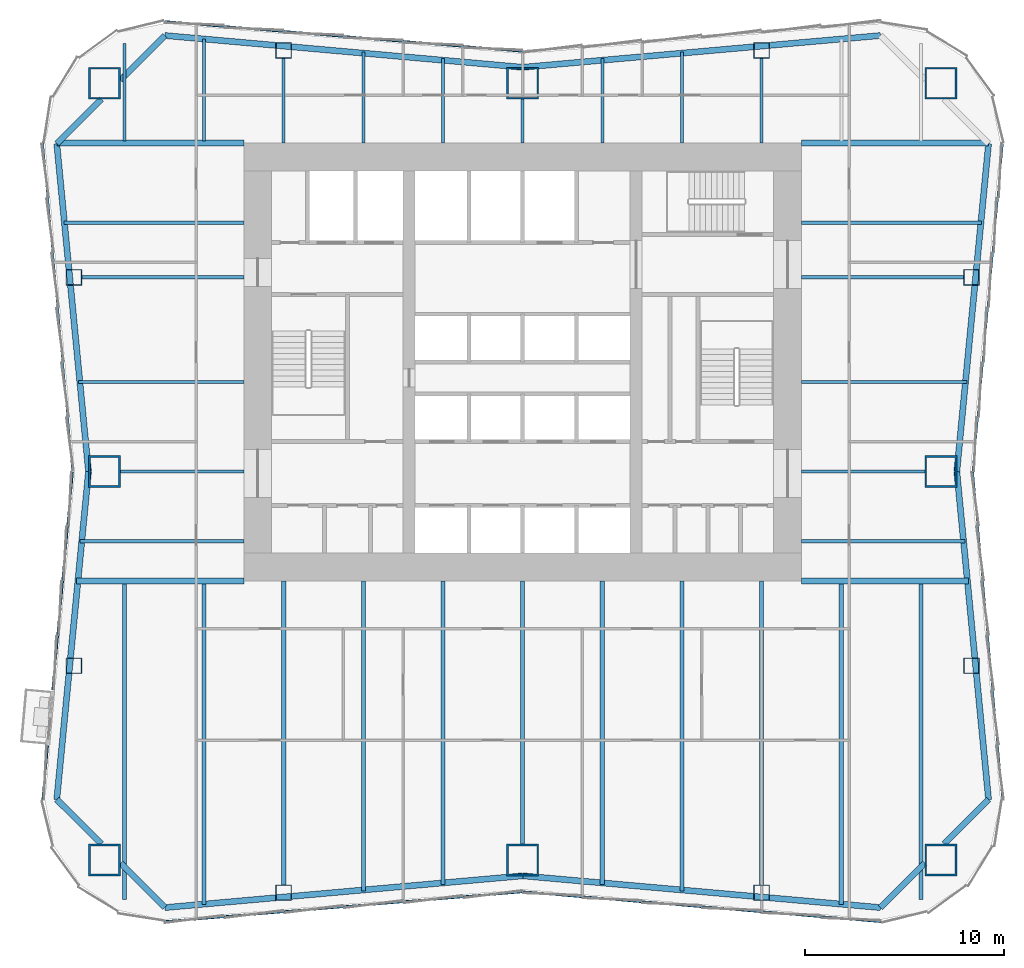
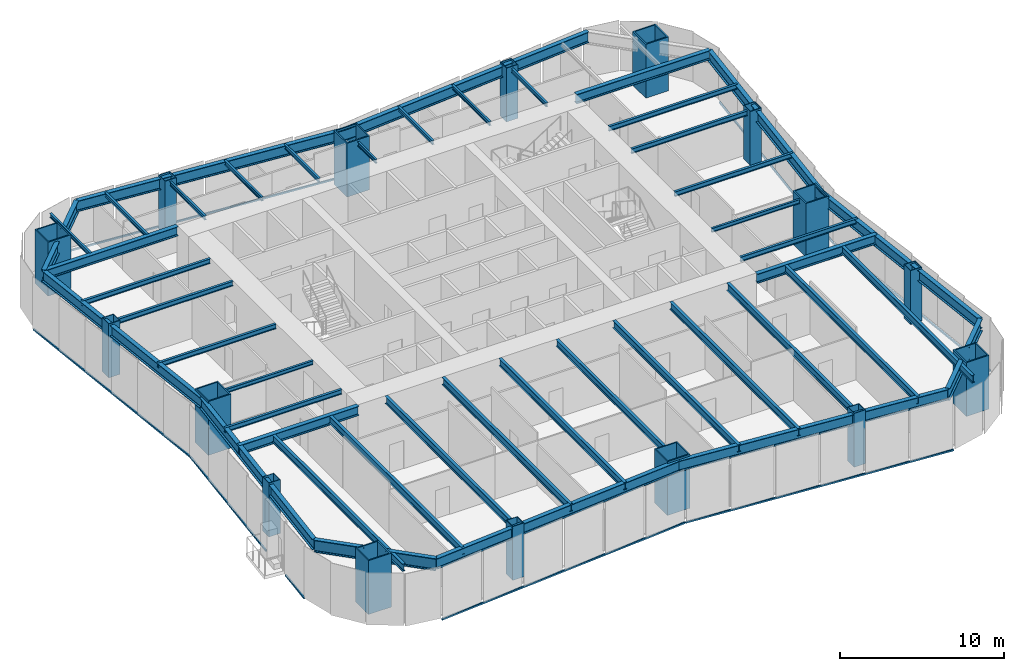
# One storey, part 1 of 8: 48 beams, 16 columns, 8 members, 4 elements without a shape of their own.
"""IFC4 building model written with IfcOpenShell, lengths in metres."""

from ifc_helpers import new_model, si_unit, direction, frame, origin, origin_2d, place, context, subcontext, project, spatial, rectangle, hollow_rectangle, i_section, extrude, material, material_profile, profile_set, type_object, element, aggregate, save


model = new_model("IFC4")

# Units and contexts
model_context = context("Model", 3, precision=1e-05, world=origin(), true_north=direction((0.0, 1.0)))
body_context = subcontext(model_context, "Body", "Model", "MODEL_VIEW")
ifc_project = project(units=[si_unit("LENGTHUNIT", "METRE"), si_unit("AREAUNIT", "SQUARE_METRE"), si_unit("VOLUMEUNIT", "CUBIC_METRE"), si_unit("PLANEANGLEUNIT", "RADIAN"), si_unit("MASSUNIT", "GRAM", prefix="KILO")], contexts=[model_context])

# Site, building, storey
site_placement = place(None, origin())
site = spatial("IfcSite", under=ifc_project, at=site_placement, CompositionType="ELEMENT")
building_placement = place(site_placement, origin())
building = spatial("IfcBuilding", under=site, at=building_placement, Name="Verdant Reach Tower", CompositionType="ELEMENT")
storey_placement = place(building_placement, frame((0.0, 0.0, 46.0)))
storey = spatial("IfcBuildingStorey", under=building, at=storey_placement, Name="L10", CompositionType="ELEMENT", Elevation=46.0)

# Columns
ifc_material_1 = material(Name="Steel S460", Category="steel")
ifc_material_profile_1 = material_profile(ifc_material_1, hollow_rectangle(XDim=1.60009765625, YDim=1.60009765625, WallThickness=0.090087890625, at=origin_2d()), Name="WB 1600x1600x90")
ifc_profile_set_1 = profile_set([ifc_material_profile_1], Name="Steel S460")
column_type_1 = type_object("IfcColumnType", Name="ST-COL-WB1600x1600x90", PredefinedType="COLUMN", material=ifc_profile_set_1)
for number, where, z_axis, x_axis, name in (
    (1, (-21.0, 42.0, 0.0), (0.0, 0.0, 1.0), (1.0, 0.0, 0.0), "Mega column north-west, L10"),
    (2, (0.0, 42.0, 0.0), (0.0, 0.0, 1.0), (1.0, 0.0, 0.0), "Mega column north, L10"),
    (3, (21.0, 42.0, 0.0), (0.0, 0.0, 1.0), (1.0, 0.0, 0.0), "Mega column north-east, L10"),
    (4, (21.0, 22.5, 0.0), (0.0, 0.0, 1.0), (1.0, 0.0, 0.0), "Mega column east, L10"),
    (5, (21.0, 3.0, 0.0), (0.0, 0.0, 1.0), (1.0, 0.0, 0.0), "Mega column south-east, L10"),
    (6, (0.0, 3.0, 0.0), (0.0, 0.0, 1.0), (1.0, 0.0, 0.0), "Mega column south, L10"),
    (7, (-21.0, 3.0, 0.0), (0.0, 0.0, 1.0), (1.0, 0.0, 0.0), "Mega column south-west, L10"),
    (8, (-21.0, 22.5, 0.0), (0.0, 0.0, 1.0), (1.0, 0.0, 0.0), "Mega column west, L10"),
):
    element("IfcColumn", number, at=place(storey_placement, frame(where, z_axis=z_axis, x_axis=x_axis)), inside=storey, type_object=column_type_1, Name=name, PredefinedType="COLUMN", context=body_context, shape_type="SweptSolid", body=[
        extrude(hollow_rectangle(XDim=1.60009765625, YDim=1.60009765625, WallThickness=0.090087890625, at=origin_2d()), origin(), (0.0, 0.0, 1.0), 4.0),
    ])
ifc_material_profile_2 = material_profile(ifc_material_1, hollow_rectangle(XDim=0.800048828125, YDim=0.800048828125, WallThickness=0.0400390625, at=origin_2d()), Name="WB 800x800x40")
ifc_profile_set_2 = profile_set([ifc_material_profile_2], Name="Steel S460")
column_type_2 = type_object("IfcColumnType", Name="ST-COL-WB800x800x40", PredefinedType="COLUMN", material=ifc_profile_set_2)
for number, where, z_axis, x_axis, name in (
    (9, (-12.0, 43.64990234375, 0.0), (0.0, 0.0, 1.0), (1.0, 0.0, 0.0), "Perimeter column north 1, L10"),
    (10, (12.0, 43.64990234375, 0.0), (0.0, 0.0, 1.0), (1.0, 0.0, 0.0), "Perimeter column north 2, L10"),
    (11, (-12.0, 1.35009765625, 0.0), (0.0, 0.0, 1.0), (1.0, 0.0, 0.0), "Perimeter column south 1, L10"),
    (12, (12.0, 1.35009765625, 0.0), (0.0, 0.0, 1.0), (1.0, 0.0, 0.0), "Perimeter column south 2, L10"),
    (13, (22.536376953125, 12.75, 0.0), (0.0, 0.0, 1.0), (1.0, 0.0, 0.0), "Perimeter column east 1, L10"),
    (14, (22.536376953125, 32.25, 0.0), (0.0, 0.0, 1.0), (1.0, 0.0, 0.0), "Perimeter column east 2, L10"),
    (15, (-22.536376953125, 12.75, 0.0), (0.0, 0.0, 1.0), (1.0, 0.0, 0.0), "Perimeter column west 1, L10"),
    (16, (-22.536376953125, 32.25, 0.0), (0.0, 0.0, 1.0), (1.0, 0.0, 0.0), "Perimeter column west 2, L10"),
):
    element("IfcColumn", number, at=place(storey_placement, frame(where, z_axis=z_axis, x_axis=x_axis)), inside=storey, type_object=column_type_2, Name=name, PredefinedType="COLUMN", context=body_context, shape_type="SweptSolid", body=[
        extrude(hollow_rectangle(XDim=0.800048828125, YDim=0.800048828125, WallThickness=0.0400390625, at=origin_2d()), origin(), (0.0, 0.0, 1.0), 4.0),
    ])

# Curtain wall, members
ifc_material_2 = material(Name="Anodised aluminium", Category="aluminium")
curtain_wall_type = type_object("IfcCurtainWallType", Name="EN-CW SYSTEM Z0", PredefinedType="NOTDEFINED", material=ifc_material_2)
curtain_wall_1_placement = place(storey_placement, origin())
curtain_wall_1 = element("IfcCurtainWall", 17, at=curtain_wall_1_placement, inside=storey, type_object=curtain_wall_type, Name="Curtain wall east, L10", PredefinedType="NOTDEFINED")
ifc_material_profile_3 = material_profile(ifc_material_2, rectangle(XDim=0.10009765625, YDim=0.1201171875, at=origin_2d()), Name="Transom 120x100")
ifc_profile_set_3 = profile_set([ifc_material_profile_3], Name="Anodised aluminium")
member_type = type_object("IfcMemberType", Name="EN-TRANSOM Z0", PredefinedType="USERDEFINED", material=ifc_profile_set_3)
member_1_placement = place(storey_placement, frame((24.09716796875, 6.024658203125, -0.2900390625), z_axis=(-0.090495755184, 0.995896841191, 0.0), x_axis=(-0.995896841191, -0.090495755184, 0.0)))
member_1 = element("IfcMember", 18, at=member_1_placement, type_object=member_type, Name="Transom east face part 1 1.1, L10", ObjectType="TRANSOM", PredefinedType="USERDEFINED", context=body_context, shape_type="SweptSolid", body=[
    extrude(rectangle(XDim=0.10009765625, YDim=0.1201171875, at=origin_2d()), origin(), (0.0, 0.0, 1.0), 16.513427734375),
])
member_2_placement = place(storey_placement, frame((22.602783203125, 22.52978515625, -0.2900390625), z_axis=(0.090495755184, 0.995896841191, 0.0), x_axis=(-0.995896841191, 0.090495755184, 0.0)))
member_2 = element("IfcMember", 19, at=member_2_placement, type_object=member_type, Name="Transom east face part 2 1.1, L10", ObjectType="TRANSOM", PredefinedType="USERDEFINED", context=body_context, shape_type="SweptSolid", body=[
    extrude(rectangle(XDim=0.10009765625, YDim=0.1201171875, at=origin_2d()), origin(), (0.0, 0.0, 1.0), 16.513427734375),
])
aggregate(curtain_wall_1, [member_1, member_2])

# Curtain wall, member
curtain_wall_2_placement = place(storey_placement, origin())
curtain_wall_2 = element("IfcCurtainWall", 20, at=curtain_wall_2_placement, inside=storey, type_object=curtain_wall_type, Name="Curtain wall north, L10", PredefinedType="NOTDEFINED")
member_3_placement = place(storey_placement, frame((-0.02978515625, 43.6025390625, -0.2900390625), z_axis=(-0.996548656072, 0.083010698588, 0.0), x_axis=(-0.083010698588, -0.996548656072, 0.0)))
member_3 = element("IfcMember", 21, at=member_3_placement, type_object=member_type, Name="Transom north face part 2 1.1, L10", ObjectType="TRANSOM", PredefinedType="USERDEFINED", context=body_context, shape_type="SweptSolid", body=[
    extrude(rectangle(XDim=0.10009765625, YDim=0.1201171875, at=origin_2d()), origin(), (0.0, 0.0, 1.0), 18.00830078125),
])
aggregate(curtain_wall_2, [member_3])

# Curtain wall, members
curtain_wall_3_placement = place(storey_placement, origin())
curtain_wall_3 = element("IfcCurtainWall", 22, at=curtain_wall_3_placement, inside=storey, type_object=curtain_wall_type, Name="Curtain wall west, L10", PredefinedType="NOTDEFINED")
member_4_placement = place(storey_placement, frame((-24.09716796875, 38.975341796875, -0.2900390625), z_axis=(0.090495755184, -0.995896841191, 0.0), x_axis=(0.995896841191, 0.090495755184, 0.0)))
member_4 = element("IfcMember", 23, at=member_4_placement, type_object=member_type, Name="Transom west face part 1 1.1, L10", ObjectType="TRANSOM", PredefinedType="USERDEFINED", context=body_context, shape_type="SweptSolid", body=[
    extrude(rectangle(XDim=0.10009765625, YDim=0.1201171875, at=origin_2d()), origin(), (0.0, 0.0, 1.0), 16.513427734375),
])
member_5_placement = place(storey_placement, frame((-22.602783203125, 22.47021484375, -0.2900390625), z_axis=(-0.090569838391, -0.995890106575, 0.0), x_axis=(0.995890106575, -0.090569838391, 0.0)))
member_5 = element("IfcMember", 24, at=member_5_placement, type_object=member_type, Name="Transom west face part 2 1.1, L10", ObjectType="TRANSOM", PredefinedType="USERDEFINED", context=body_context, shape_type="SweptSolid", body=[
    extrude(rectangle(XDim=0.10009765625, YDim=0.1201171875, at=origin_2d()), origin(), (0.0, 0.0, 1.0), 10.9765625),
])
member_6_placement = place(storey_placement, frame((-23.852294921875, 8.729248046875, -0.2900390625), z_axis=(-0.090170976609, -0.995926299973, 0.0), x_axis=(0.995926299973, -0.090170976609, 0.0)))
member_6 = element("IfcMember", 25, at=member_6_placement, type_object=member_type, Name="Transom west face part 2 2.1, L10", ObjectType="TRANSOM", PredefinedType="USERDEFINED", context=body_context, shape_type="SweptSolid", body=[
    extrude(rectangle(XDim=0.10009765625, YDim=0.1201171875, at=origin_2d()), origin(), (0.0, 0.0, 1.0), 2.715576171875),
])
aggregate(curtain_wall_3, [member_4, member_5, member_6])

curtain_wall_4_placement = place(storey_placement, origin())
curtain_wall_4 = element("IfcCurtainWall", 26, at=curtain_wall_4_placement, inside=storey, type_object=curtain_wall_type, Name="Curtain wall south, L10", PredefinedType="NOTDEFINED")
member_7_placement = place(storey_placement, frame((-17.975830078125, -0.097412109375, -0.2900390625), z_axis=(0.996548656072, 0.083010698588, 0.0), x_axis=(-0.083010698588, 0.996548656072, 0.0)))
member_7 = element("IfcMember", 27, at=member_7_placement, type_object=member_type, Name="Transom south face part 1 1.1, L10", ObjectType="TRANSOM", PredefinedType="USERDEFINED", context=body_context, shape_type="SweptSolid", body=[
    extrude(rectangle(XDim=0.10009765625, YDim=0.1201171875, at=origin_2d()), origin(), (0.0, 0.0, 1.0), 18.00830078125),
])
member_8_placement = place(storey_placement, frame((0.02978515625, 1.3974609375, -0.2900390625), z_axis=(0.996548656072, -0.083010698588, 0.0), x_axis=(0.083010698588, 0.996548656072, 0.0)))
member_8 = element("IfcMember", 28, at=member_8_placement, type_object=member_type, Name="Transom south face part 2 1.1, L10", ObjectType="TRANSOM", PredefinedType="USERDEFINED", context=body_context, shape_type="SweptSolid", body=[
    extrude(rectangle(XDim=0.10009765625, YDim=0.1201171875, at=origin_2d()), origin(), (0.0, 0.0, 1.0), 18.00830078125),
])
aggregate(curtain_wall_4, [member_7, member_8])

# Beams
ifc_material_3 = material(Name="Steel S355", Category="steel")
ifc_material_profile_4 = material_profile(ifc_material_3, i_section(OverallWidth=0.300048828125, OverallDepth=0.699951171875, WebThickness=0.01708984375, FlangeThickness=0.031982421875, FilletRadius=0.027099609375, at=origin_2d()), Name="HEB 700")
ifc_profile_set_4 = profile_set([ifc_material_profile_4], Name="Steel S355")
beam_type_1 = type_object("IfcBeamType", Name="ST-BEAM-HEB700", PredefinedType="BEAM", material=ifc_profile_set_4)
for number, where, z_axis, x_axis, name in (
    (29, (14.0, 39.0, 3.52001953125), (1.0, 0.0, 0.0), (0.0, 1.0, 0.0), "Trimmer beam, L10"),
    (30, (-14.0, 39.0, 3.52001953125), (-1.0, 0.0, 0.0), (0.0, -1.0, 0.0), "Trimmer beam, L10"),
):
    element("IfcBeam", number, at=place(storey_placement, frame(where, z_axis=z_axis, x_axis=x_axis)), inside=storey, type_object=beam_type_1, Name=name, PredefinedType="BEAM", context=body_context, shape_type="SweptSolid", body=[
        extrude(i_section(OverallWidth=0.300048828125, OverallDepth=0.699951171875, WebThickness=0.01708984375, FlangeThickness=0.031982421875, FilletRadius=0.027099609375, at=origin_2d()), origin(), (0.0, 0.0, 1.0), 9.38818359375),
    ])
for number, where, z_axis, x_axis, name in (
    (31, (14.0, 17.0, 3.52001953125), (1.0, 0.0, 0.0), (0.0, 1.0, 0.0), "Trimmer beam, L10"),
    (32, (-14.0, 17.0, 3.52001953125), (-1.0, 0.0, 0.0), (0.0, -1.0, 0.0), "Trimmer beam, L10"),
):
    element("IfcBeam", number, at=place(storey_placement, frame(where, z_axis=z_axis, x_axis=x_axis)), inside=storey, type_object=beam_type_1, Name=name, PredefinedType="BEAM", context=body_context, shape_type="SweptSolid", body=[
        extrude(i_section(OverallWidth=0.300048828125, OverallDepth=0.699951171875, WebThickness=0.01708984375, FlangeThickness=0.031982421875, FilletRadius=0.027099609375, at=origin_2d()), origin(), (0.0, 0.0, 1.0), 8.3974609375),
    ])
ifc_material_profile_5 = material_profile(ifc_material_3, i_section(OverallWidth=0.14990234375, OverallDepth=0.300048828125, WebThickness=0.007080078125, FlangeThickness=0.0107421875, FilletRadius=0.014892578125, at=origin_2d()), Name="IPE 300")
ifc_profile_set_5 = profile_set([ifc_material_profile_5], Name="Steel S355")
beam_type_2 = type_object("IfcBeamType", Name="ST-JOIST-IPE300", PredefinedType="JOIST", material=ifc_profile_set_5)
beam_1_placement = place(storey_placement, frame((-20.0, 39.10009765625, 3.719970703125), z_axis=(0.0, 1.0, 0.0), x_axis=(-1.0, 0.0, 0.0)))
element("IfcBeam", 33, at=beam_1_placement, inside=storey, type_object=beam_type_2, Name="Floor joist, L10", PredefinedType="JOIST", context=body_context, shape_type="SweptSolid", body=[
    extrude(i_section(OverallWidth=0.14990234375, OverallDepth=0.300048828125, WebThickness=0.007080078125, FlangeThickness=0.0107421875, FilletRadius=0.014892578125, at=origin_2d()), origin(), (0.0, 0.0, 1.0), 4.890380859375),
])
beam_2_placement = place(storey_placement, frame((-16.0, 39.10009765625, 3.719970703125), z_axis=(0.0, 1.0, 0.0), x_axis=(-1.0, 0.0, 0.0)))
element("IfcBeam", 34, at=beam_2_placement, inside=storey, type_object=beam_type_2, Name="Floor joist, L10", PredefinedType="JOIST", context=body_context, shape_type="SweptSolid", body=[
    extrude(i_section(OverallWidth=0.14990234375, OverallDepth=0.300048828125, WebThickness=0.007080078125, FlangeThickness=0.0107421875, FilletRadius=0.014892578125, at=origin_2d()), origin(), (0.0, 0.0, 1.0), 5.131103515625),
])
beam_3_placement = place(storey_placement, frame((-12.0, 39.0, 3.719970703125), z_axis=(0.0, 1.0, 0.0), x_axis=(-1.0, 0.0, 0.0)))
element("IfcBeam", 35, at=beam_3_placement, inside=storey, type_object=beam_type_2, Name="Floor joist, L10", PredefinedType="JOIST", context=body_context, shape_type="SweptSolid", body=[
    extrude(i_section(OverallWidth=0.14990234375, OverallDepth=0.300048828125, WebThickness=0.007080078125, FlangeThickness=0.0107421875, FilletRadius=0.014892578125, at=origin_2d()), origin(), (0.0, 0.0, 1.0), 4.25),
])
beam_4_placement = place(storey_placement, frame((-8.0, 39.0, 3.719970703125), z_axis=(0.0, 1.0, 0.0), x_axis=(-1.0, 0.0, 0.0)))
element("IfcBeam", 36, at=beam_4_placement, inside=storey, type_object=beam_type_2, Name="Floor joist, L10", PredefinedType="JOIST", context=body_context, shape_type="SweptSolid", body=[
    extrude(i_section(OverallWidth=0.14990234375, OverallDepth=0.300048828125, WebThickness=0.007080078125, FlangeThickness=0.0107421875, FilletRadius=0.014892578125, at=origin_2d()), origin(), (0.0, 0.0, 1.0), 4.564697265625),
])
beam_5_placement = place(storey_placement, frame((-4.0, 39.0, 3.719970703125), z_axis=(0.0, 1.0, 0.0), x_axis=(-1.0, 0.0, 0.0)))
element("IfcBeam", 37, at=beam_5_placement, inside=storey, type_object=beam_type_2, Name="Floor joist, L10", PredefinedType="JOIST", context=body_context, shape_type="SweptSolid", body=[
    extrude(i_section(OverallWidth=0.14990234375, OverallDepth=0.300048828125, WebThickness=0.007080078125, FlangeThickness=0.0107421875, FilletRadius=0.014892578125, at=origin_2d()), origin(), (0.0, 0.0, 1.0), 4.231201171875),
])
beam_6_placement = place(storey_placement, frame((0.0, 39.0, 3.719970703125), z_axis=(0.0, 1.0, 0.0), x_axis=(-1.0, 0.0, 0.0)))
element("IfcBeam", 38, at=beam_6_placement, inside=storey, type_object=beam_type_2, Name="Floor joist, L10", PredefinedType="JOIST", context=body_context, shape_type="SweptSolid", body=[
    extrude(i_section(OverallWidth=0.14990234375, OverallDepth=0.300048828125, WebThickness=0.007080078125, FlangeThickness=0.0107421875, FilletRadius=0.014892578125, at=origin_2d()), origin(), (0.0, 0.0, 1.0), 2.199951171875),
])
beam_7_placement = place(storey_placement, frame((4.0, 39.0, 3.719970703125), z_axis=(0.0, 1.0, 0.0), x_axis=(-1.0, 0.0, 0.0)))
element("IfcBeam", 39, at=beam_7_placement, inside=storey, type_object=beam_type_2, Name="Floor joist, L10", PredefinedType="JOIST", context=body_context, shape_type="SweptSolid", body=[
    extrude(i_section(OverallWidth=0.14990234375, OverallDepth=0.300048828125, WebThickness=0.007080078125, FlangeThickness=0.0107421875, FilletRadius=0.014892578125, at=origin_2d()), origin(), (0.0, 0.0, 1.0), 4.231201171875),
])
beam_8_placement = place(storey_placement, frame((8.0, 39.0, 3.719970703125), z_axis=(0.0, 1.0, 0.0), x_axis=(-1.0, 0.0, 0.0)))
element("IfcBeam", 40, at=beam_8_placement, inside=storey, type_object=beam_type_2, Name="Floor joist, L10", PredefinedType="JOIST", context=body_context, shape_type="SweptSolid", body=[
    extrude(i_section(OverallWidth=0.14990234375, OverallDepth=0.300048828125, WebThickness=0.007080078125, FlangeThickness=0.0107421875, FilletRadius=0.014892578125, at=origin_2d()), origin(), (0.0, 0.0, 1.0), 4.564697265625),
])
beam_9_placement = place(storey_placement, frame((12.0, 39.0, 3.719970703125), z_axis=(0.0, 1.0, 0.0), x_axis=(-1.0, 0.0, 0.0)))
element("IfcBeam", 41, at=beam_9_placement, inside=storey, type_object=beam_type_2, Name="Floor joist, L10", PredefinedType="JOIST", context=body_context, shape_type="SweptSolid", body=[
    extrude(i_section(OverallWidth=0.14990234375, OverallDepth=0.300048828125, WebThickness=0.007080078125, FlangeThickness=0.0107421875, FilletRadius=0.014892578125, at=origin_2d()), origin(), (0.0, 0.0, 1.0), 4.25),
])
for number, where, z_axis, x_axis, name in (
    (42, (14.0, 22.5, 3.719970703125), (1.0, 0.0, 0.0), (0.0, 1.0, 0.0), "Floor joist, L10"),
    (43, (-14.0, 22.5, 3.719970703125), (-1.0, 0.0, 0.0), (0.0, -1.0, 0.0), "Floor joist, L10"),
):
    element("IfcBeam", number, at=place(storey_placement, frame(where, z_axis=z_axis, x_axis=x_axis)), inside=storey, type_object=beam_type_2, Name=name, PredefinedType="JOIST", context=body_context, shape_type="SweptSolid", body=[
        extrude(i_section(OverallWidth=0.14990234375, OverallDepth=0.300048828125, WebThickness=0.007080078125, FlangeThickness=0.0107421875, FilletRadius=0.014892578125, at=origin_2d()), origin(), (0.0, 0.0, 1.0), 6.199951171875),
    ])
ifc_material_profile_6 = material_profile(ifc_material_3, i_section(OverallWidth=0.169921875, OverallDepth=0.360107421875, WebThickness=0.008056640625, FlangeThickness=0.0126953125, FilletRadius=0.01806640625, at=origin_2d()), Name="IPE 360")
ifc_profile_set_6 = profile_set([ifc_material_profile_6], Name="Steel S355")
beam_type_3 = type_object("IfcBeamType", Name="ST-JOIST-IPE360", PredefinedType="JOIST", material=ifc_profile_set_6)
for number, where, z_axis, x_axis, name in (
    (44, (14.0, 19.0, 3.68994140625), (1.0, 0.0, 0.0), (0.0, 1.0, 0.0), "Floor joist, L10"),
    (45, (-14.0, 19.0, 3.68994140625), (-1.0, 0.0, 0.0), (0.0, -1.0, 0.0), "Floor joist, L10"),
):
    element("IfcBeam", number, at=place(storey_placement, frame(where, z_axis=z_axis, x_axis=x_axis)), inside=storey, type_object=beam_type_3, Name=name, PredefinedType="JOIST", context=body_context, shape_type="SweptSolid", body=[
        extrude(i_section(OverallWidth=0.169921875, OverallDepth=0.360107421875, WebThickness=0.008056640625, FlangeThickness=0.0126953125, FilletRadius=0.01806640625, at=origin_2d()), origin(), (0.0, 0.0, 1.0), 8.2158203125),
    ])
for number, where, z_axis, x_axis, name in (
    (46, (14.0, 27.0, 3.68994140625), (1.0, 0.0, 0.0), (0.0, 1.0, 0.0), "Floor joist, L10"),
    (47, (-14.0, 27.0, 3.68994140625), (-1.0, 0.0, 0.0), (0.0, -1.0, 0.0), "Floor joist, L10"),
):
    element("IfcBeam", number, at=place(storey_placement, frame(where, z_axis=z_axis, x_axis=x_axis)), inside=storey, type_object=beam_type_3, Name=name, PredefinedType="JOIST", context=body_context, shape_type="SweptSolid", body=[
        extrude(i_section(OverallWidth=0.169921875, OverallDepth=0.360107421875, WebThickness=0.008056640625, FlangeThickness=0.0126953125, FilletRadius=0.01806640625, at=origin_2d()), origin(), (0.0, 0.0, 1.0), 8.306640625),
    ])
for number, where, z_axis, x_axis, name in (
    (48, (14.0, 32.25, 3.68994140625), (1.0, 0.0, 0.0), (0.0, 1.0, 0.0), "Floor joist, L10"),
    (49, (-14.0, 32.25, 3.68994140625), (-1.0, 0.0, 0.0), (0.0, -1.0, 0.0), "Floor joist, L10"),
):
    element("IfcBeam", number, at=place(storey_placement, frame(where, z_axis=z_axis, x_axis=x_axis)), inside=storey, type_object=beam_type_3, Name=name, PredefinedType="JOIST", context=body_context, shape_type="SweptSolid", body=[
        extrude(i_section(OverallWidth=0.169921875, OverallDepth=0.360107421875, WebThickness=0.008056640625, FlangeThickness=0.0126953125, FilletRadius=0.01806640625, at=origin_2d()), origin(), (0.0, 0.0, 1.0), 8.136474609375),
    ])
for number, where, z_axis, x_axis, name in (
    (50, (14.0, 35.0, 3.68994140625), (1.0, 0.0, 0.0), (0.0, 1.0, 0.0), "Floor joist, L10"),
    (51, (-14.0, 35.0, 3.68994140625), (-1.0, 0.0, 0.0), (0.0, -1.0, 0.0), "Floor joist, L10"),
):
    element("IfcBeam", number, at=place(storey_placement, frame(where, z_axis=z_axis, x_axis=x_axis)), inside=storey, type_object=beam_type_3, Name=name, PredefinedType="JOIST", context=body_context, shape_type="SweptSolid", body=[
        extrude(i_section(OverallWidth=0.169921875, OverallDepth=0.360107421875, WebThickness=0.008056640625, FlangeThickness=0.0126953125, FilletRadius=0.01806640625, at=origin_2d()), origin(), (0.0, 0.0, 1.0), 9.033935546875),
    ])
ifc_material_profile_7 = material_profile(ifc_material_3, i_section(OverallWidth=0.199951171875, OverallDepth=0.5, WebThickness=0.01025390625, FlangeThickness=0.01611328125, FilletRadius=0.02099609375, at=origin_2d()), Name="IPE 500")
ifc_profile_set_7 = profile_set([ifc_material_profile_7], Name="Steel S355")
beam_type_4 = type_object("IfcBeamType", Name="ST-JOIST-IPE500", PredefinedType="JOIST", material=ifc_profile_set_7)
beam_10_placement = place(storey_placement, frame((0.0, 17.0, 3.6201171875), z_axis=(0.0, -1.0, 0.0), x_axis=(1.0, 0.0, 0.0)))
element("IfcBeam", 52, at=beam_10_placement, inside=storey, type_object=beam_type_4, Name="Floor joist, L10", PredefinedType="JOIST", context=body_context, shape_type="SweptSolid", body=[
    extrude(i_section(OverallWidth=0.199951171875, OverallDepth=0.5, WebThickness=0.01025390625, FlangeThickness=0.01611328125, FilletRadius=0.02099609375, at=origin_2d()), origin(), (0.0, 0.0, 1.0), 13.199951171875),
])
ifc_material_profile_8 = material_profile(ifc_material_3, i_section(OverallWidth=0.2099609375, OverallDepth=0.550048828125, WebThickness=0.010986328125, FlangeThickness=0.01708984375, FilletRadius=0.02392578125, at=origin_2d()), Name="IPE 550")
ifc_profile_set_8 = profile_set([ifc_material_profile_8], Name="Steel S355")
beam_type_5 = type_object("IfcBeamType", Name="ST-JOIST-IPE550", PredefinedType="JOIST", material=ifc_profile_set_8)
beam_11_placement = place(storey_placement, frame((-20.0, 16.89990234375, 3.594970703125), z_axis=(0.0, -1.0, 0.0), x_axis=(1.0, 0.0, 0.0)))
element("IfcBeam", 53, at=beam_11_placement, inside=storey, type_object=beam_type_5, Name="Floor joist, L10", PredefinedType="JOIST", context=body_context, shape_type="SweptSolid", body=[
    extrude(i_section(OverallWidth=0.2099609375, OverallDepth=0.550048828125, WebThickness=0.010986328125, FlangeThickness=0.01708984375, FilletRadius=0.02392578125, at=origin_2d()), origin(), (0.0, 0.0, 1.0), 15.890380859375),
])
beam_12_placement = place(storey_placement, frame((-16.0, 16.89990234375, 3.594970703125), z_axis=(0.0, -1.0, 0.0), x_axis=(1.0, 0.0, 0.0)))
element("IfcBeam", 54, at=beam_12_placement, inside=storey, type_object=beam_type_5, Name="Floor joist, L10", PredefinedType="JOIST", context=body_context, shape_type="SweptSolid", body=[
    extrude(i_section(OverallWidth=0.2099609375, OverallDepth=0.550048828125, WebThickness=0.010986328125, FlangeThickness=0.01708984375, FilletRadius=0.02392578125, at=origin_2d()), origin(), (0.0, 0.0, 1.0), 16.131103515625),
])
beam_13_placement = place(storey_placement, frame((-12.0, 17.0, 3.594970703125), z_axis=(0.0, -1.0, 0.0), x_axis=(1.0, 0.0, 0.0)))
element("IfcBeam", 55, at=beam_13_placement, inside=storey, type_object=beam_type_5, Name="Floor joist, L10", PredefinedType="JOIST", context=body_context, shape_type="SweptSolid", body=[
    extrude(i_section(OverallWidth=0.2099609375, OverallDepth=0.550048828125, WebThickness=0.010986328125, FlangeThickness=0.01708984375, FilletRadius=0.02392578125, at=origin_2d()), origin(), (0.0, 0.0, 1.0), 15.25),
])
beam_14_placement = place(storey_placement, frame((-8.0, 17.0, 3.594970703125), z_axis=(0.0, -1.0, 0.0), x_axis=(1.0, 0.0, 0.0)))
element("IfcBeam", 56, at=beam_14_placement, inside=storey, type_object=beam_type_5, Name="Floor joist, L10", PredefinedType="JOIST", context=body_context, shape_type="SweptSolid", body=[
    extrude(i_section(OverallWidth=0.2099609375, OverallDepth=0.550048828125, WebThickness=0.010986328125, FlangeThickness=0.01708984375, FilletRadius=0.02392578125, at=origin_2d()), origin(), (0.0, 0.0, 1.0), 15.564697265625),
])
for number, where, z_axis, x_axis, name in (
    (57, (-4.0, 17.0, 3.594970703125), (0.0, -1.0, 0.0), (1.0, 0.0, 0.0), "Floor joist, L10"),
    (58, (4.0, 17.0, 3.594970703125), (0.0, -1.0, 0.0), (1.0, 0.0, 0.0), "Floor joist, L10"),
):
    element("IfcBeam", number, at=place(storey_placement, frame(where, z_axis=z_axis, x_axis=x_axis)), inside=storey, type_object=beam_type_5, Name=name, PredefinedType="JOIST", context=body_context, shape_type="SweptSolid", body=[
        extrude(i_section(OverallWidth=0.2099609375, OverallDepth=0.550048828125, WebThickness=0.010986328125, FlangeThickness=0.01708984375, FilletRadius=0.02392578125, at=origin_2d()), origin(), (0.0, 0.0, 1.0), 15.231201171875),
    ])
beam_15_placement = place(storey_placement, frame((8.0, 17.0, 3.594970703125), z_axis=(0.0, -1.0, 0.0), x_axis=(1.0, 0.0, 0.0)))
element("IfcBeam", 59, at=beam_15_placement, inside=storey, type_object=beam_type_5, Name="Floor joist, L10", PredefinedType="JOIST", context=body_context, shape_type="SweptSolid", body=[
    extrude(i_section(OverallWidth=0.2099609375, OverallDepth=0.550048828125, WebThickness=0.010986328125, FlangeThickness=0.01708984375, FilletRadius=0.02392578125, at=origin_2d()), origin(), (0.0, 0.0, 1.0), 15.564697265625),
])
beam_16_placement = place(storey_placement, frame((12.0, 17.0, 3.594970703125), z_axis=(0.0, -1.0, 0.0), x_axis=(1.0, 0.0, 0.0)))
element("IfcBeam", 60, at=beam_16_placement, inside=storey, type_object=beam_type_5, Name="Floor joist, L10", PredefinedType="JOIST", context=body_context, shape_type="SweptSolid", body=[
    extrude(i_section(OverallWidth=0.2099609375, OverallDepth=0.550048828125, WebThickness=0.010986328125, FlangeThickness=0.01708984375, FilletRadius=0.02392578125, at=origin_2d()), origin(), (0.0, 0.0, 1.0), 15.25),
])
beam_17_placement = place(storey_placement, frame((16.0, 16.89990234375, 3.594970703125), z_axis=(0.0, -1.0, 0.0), x_axis=(1.0, 0.0, 0.0)))
element("IfcBeam", 61, at=beam_17_placement, inside=storey, type_object=beam_type_5, Name="Floor joist, L10", PredefinedType="JOIST", context=body_context, shape_type="SweptSolid", body=[
    extrude(i_section(OverallWidth=0.2099609375, OverallDepth=0.550048828125, WebThickness=0.010986328125, FlangeThickness=0.01708984375, FilletRadius=0.02392578125, at=origin_2d()), origin(), (0.0, 0.0, 1.0), 16.131103515625),
])
beam_18_placement = place(storey_placement, frame((20.0, 16.89990234375, 3.594970703125), z_axis=(0.0, -1.0, 0.0), x_axis=(1.0, 0.0, 0.0)))
element("IfcBeam", 62, at=beam_18_placement, inside=storey, type_object=beam_type_5, Name="Floor joist, L10", PredefinedType="JOIST", context=body_context, shape_type="SweptSolid", body=[
    extrude(i_section(OverallWidth=0.2099609375, OverallDepth=0.550048828125, WebThickness=0.010986328125, FlangeThickness=0.01708984375, FilletRadius=0.02392578125, at=origin_2d()), origin(), (0.0, 0.0, 1.0), 15.890380859375),
])
ifc_material_profile_9 = material_profile(ifc_material_3, i_section(OverallWidth=0.300048828125, OverallDepth=0.800048828125, WebThickness=0.017578125, FlangeThickness=0.032958984375, FilletRadius=0.030029296875, at=origin_2d()), Name="HEB 800")
ifc_profile_set_9 = profile_set([ifc_material_profile_9], Name="Steel S355")
beam_type_6 = type_object("IfcBeamType", Name="ST-SPANDREL-HEB800", PredefinedType="SPANDREL", material=ifc_profile_set_9)
for number, where, z_axis, x_axis, name in (
    (63, (17.9658203125, 0.60498046875, 3.469970703125), (-0.996082370463, 0.088430262084, 0.0), (-0.088430262084, -0.996082370463, 0.0), "Edge beam, L10"),
    (64, (0.0, 2.199951171875, 3.469970703125), (-0.996082370463, -0.088430262084, 0.0), (0.088430262084, -0.996082370463, 0.0), "Edge beam, L10"),
):
    element("IfcBeam", number, at=place(storey_placement, frame(where, z_axis=z_axis, x_axis=x_axis)), inside=storey, type_object=beam_type_6, Name=name, PredefinedType="SPANDREL", context=body_context, shape_type="SweptSolid", body=[
        extrude(i_section(OverallWidth=0.300048828125, OverallDepth=0.800048828125, WebThickness=0.017578125, FlangeThickness=0.032958984375, FilletRadius=0.030029296875, at=origin_2d()), origin(), (0.0, 0.0, 1.0), 18.036376953125),
    ])
for number, where, z_axis, x_axis, name in (
    (65, (-23.39453125, 6.031982421875, 3.469970703125), (0.096372296695, 0.995345357366, 0.0), (-0.995345357366, 0.096372296695, 0.0), "Edge beam, L10"),
    (66, (-21.800048828125, 22.5, 3.469970703125), (-0.096372296695, 0.995345357366, 0.0), (-0.995345357366, -0.096372296695, 0.0), "Edge beam, L10"),
):
    element("IfcBeam", number, at=place(storey_placement, frame(where, z_axis=z_axis, x_axis=x_axis)), inside=storey, type_object=beam_type_6, Name=name, PredefinedType="SPANDREL", context=body_context, shape_type="SweptSolid", body=[
        extrude(i_section(OverallWidth=0.300048828125, OverallDepth=0.800048828125, WebThickness=0.017578125, FlangeThickness=0.032958984375, FilletRadius=0.030029296875, at=origin_2d()), origin(), (0.0, 0.0, 1.0), 16.544921875),
    ])
for number, where, z_axis, x_axis, name in (
    (67, (-17.9658203125, 44.39501953125, 3.469970703125), (0.996082370463, -0.088430262084, 0.0), (0.088430262084, 0.996082370463, 0.0), "Edge beam, L10"),
    (68, (0.0, 42.800048828125, 3.469970703125), (0.996082370463, 0.088430262084, 0.0), (-0.088430262084, 0.996082370463, 0.0), "Edge beam, L10"),
):
    element("IfcBeam", number, at=place(storey_placement, frame(where, z_axis=z_axis, x_axis=x_axis)), inside=storey, type_object=beam_type_6, Name=name, PredefinedType="SPANDREL", context=body_context, shape_type="SweptSolid", body=[
        extrude(i_section(OverallWidth=0.300048828125, OverallDepth=0.800048828125, WebThickness=0.017578125, FlangeThickness=0.032958984375, FilletRadius=0.030029296875, at=origin_2d()), origin(), (0.0, 0.0, 1.0), 18.036376953125),
    ])
for number, where, z_axis, x_axis, name in (
    (69, (23.39453125, 38.968017578125, 3.469970703125), (-0.096372296695, -0.995345357366, 0.0), (0.995345357366, -0.096372296695, 0.0), "Edge beam, L10"),
    (70, (21.800048828125, 22.5, 3.469970703125), (0.096372296695, -0.995345357366, 0.0), (0.995345357366, 0.096372296695, 0.0), "Edge beam, L10"),
):
    element("IfcBeam", number, at=place(storey_placement, frame(where, z_axis=z_axis, x_axis=x_axis)), inside=storey, type_object=beam_type_6, Name=name, PredefinedType="SPANDREL", context=body_context, shape_type="SweptSolid", body=[
        extrude(i_section(OverallWidth=0.300048828125, OverallDepth=0.800048828125, WebThickness=0.017578125, FlangeThickness=0.032958984375, FilletRadius=0.030029296875, at=origin_2d()), origin(), (0.0, 0.0, 1.0), 16.544921875),
    ])
ifc_material_profile_10 = material_profile(ifc_material_3, i_section(OverallWidth=0.302001953125, OverallDepth=0.909912109375, WebThickness=0.02099609375, FlangeThickness=0.0400390625, FilletRadius=0.030029296875, at=origin_2d()), Name="HEM 900")
ifc_profile_set_10 = profile_set([ifc_material_profile_10], Name="Steel S355")
beam_type_7 = type_object("IfcBeamType", Name="ST-SPANDREL-HEM900", PredefinedType="SPANDREL", material=ifc_profile_set_10)
beam_19_placement = place(storey_placement, frame((-17.9658203125, 0.60498046875, 3.4150390625), z_axis=(-0.707222697162, 0.706990846206, 0.0), x_axis=(-0.706990846206, -0.707222697162, 0.0)))
element("IfcBeam", 71, at=beam_19_placement, inside=storey, type_object=beam_type_7, Name="Edge beam, L10", PredefinedType="SPANDREL", context=body_context, shape_type="SweptSolid", body=[
    extrude(i_section(OverallWidth=0.302001953125, OverallDepth=0.909912109375, WebThickness=0.02099609375, FlangeThickness=0.0400390625, FilletRadius=0.030029296875, at=origin_2d()), origin(), (0.0, 0.0, 1.0), 3.158935546875),
])
for number, where, z_axis, x_axis, name in (
    (72, (-21.161865234375, 3.800048828125, 3.4150390625), (-0.70722277322, 0.706990770123, 0.0), (-0.706990770123, -0.70722277322, 0.0), "Edge beam, L10"),
    (73, (-23.39453125, 38.968017578125, 3.4150390625), (0.70722277322, 0.706990770123, 0.0), (-0.706990770123, 0.70722277322, 0.0), "Edge beam, L10"),
):
    element("IfcBeam", number, at=place(storey_placement, frame(where, z_axis=z_axis, x_axis=x_axis)), inside=storey, type_object=beam_type_7, Name=name, PredefinedType="SPANDREL", context=body_context, shape_type="SweptSolid", body=[
        extrude(i_section(OverallWidth=0.302001953125, OverallDepth=0.909912109375, WebThickness=0.02099609375, FlangeThickness=0.0400390625, FilletRadius=0.030029296875, at=origin_2d()), origin(), (0.0, 0.0, 1.0), 3.156982421875),
    ])
beam_20_placement = place(storey_placement, frame((-20.199951171875, 42.16162109375, 3.4150390625), z_axis=(0.707222697162, 0.706990846206, 0.0), x_axis=(-0.706990846206, 0.707222697162, 0.0)))
element("IfcBeam", 74, at=beam_20_placement, inside=storey, type_object=beam_type_7, Name="Edge beam, L10", PredefinedType="SPANDREL", context=body_context, shape_type="SweptSolid", body=[
    extrude(i_section(OverallWidth=0.302001953125, OverallDepth=0.909912109375, WebThickness=0.02099609375, FlangeThickness=0.0400390625, FilletRadius=0.030029296875, at=origin_2d()), origin(), (0.0, 0.0, 1.0), 3.158935546875),
])
beam_21_placement = place(storey_placement, frame((23.39453125, 6.031982421875, 3.4150390625), z_axis=(-0.70722277322, -0.706990770123, 0.0), x_axis=(0.706990770123, -0.70722277322, 0.0)))
element("IfcBeam", 75, at=beam_21_placement, inside=storey, type_object=beam_type_7, Name="Edge beam, L10", PredefinedType="SPANDREL", context=body_context, shape_type="SweptSolid", body=[
    extrude(i_section(OverallWidth=0.302001953125, OverallDepth=0.909912109375, WebThickness=0.02099609375, FlangeThickness=0.0400390625, FilletRadius=0.030029296875, at=origin_2d()), origin(), (0.0, 0.0, 1.0), 3.156982421875),
])
beam_22_placement = place(storey_placement, frame((20.199951171875, 2.83837890625, 3.4150390625), z_axis=(-0.707222697162, -0.706990846206, 0.0), x_axis=(0.706990846206, -0.707222697162, 0.0)))
element("IfcBeam", 76, at=beam_22_placement, inside=storey, type_object=beam_type_7, Name="Edge beam, L10", PredefinedType="SPANDREL", context=body_context, shape_type="SweptSolid", body=[
    extrude(i_section(OverallWidth=0.302001953125, OverallDepth=0.909912109375, WebThickness=0.02099609375, FlangeThickness=0.0400390625, FilletRadius=0.030029296875, at=origin_2d()), origin(), (0.0, 0.0, 1.0), 3.158935546875),
])

save(model, "model.ifc")
